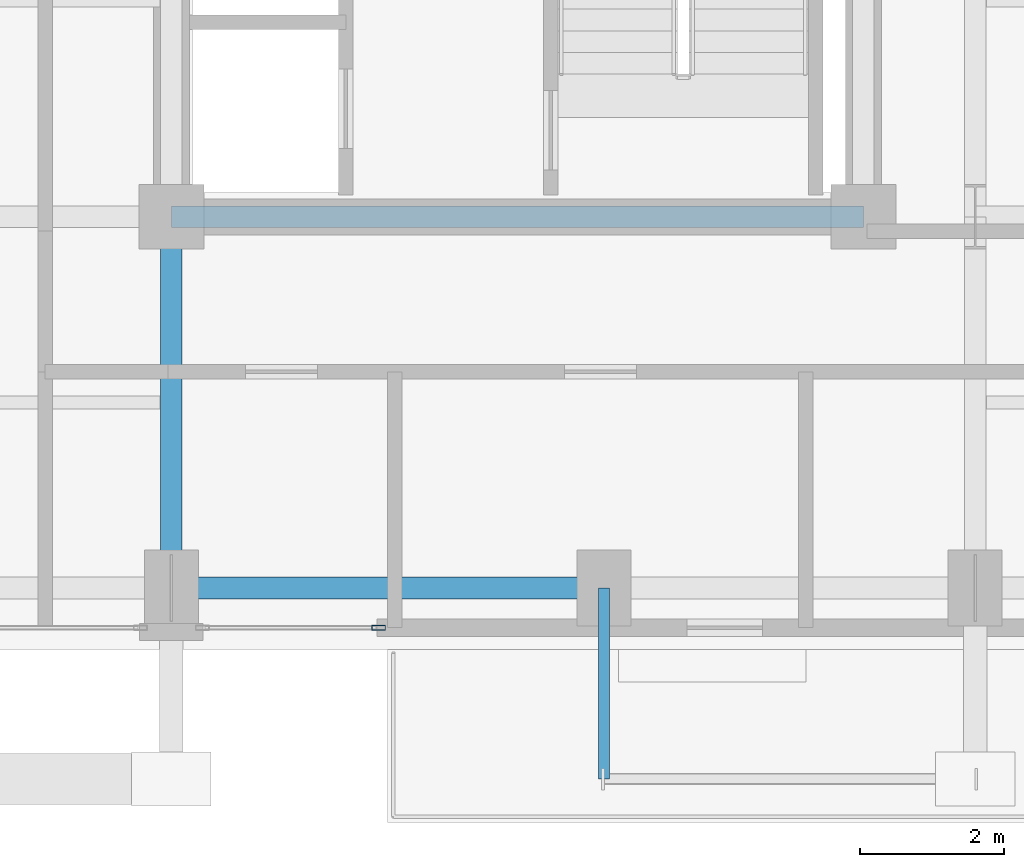
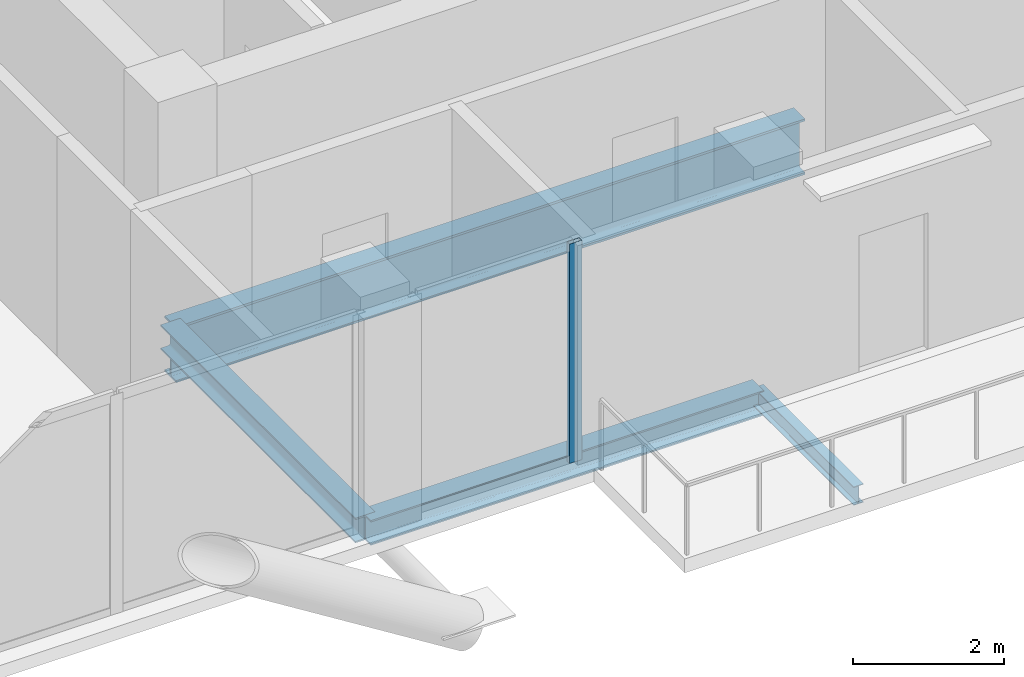
# One storey, part 5 of 28: 4 beams, 1 member, 1 element without a shape of its own.
"""IFC4 building model written with IfcOpenShell, lengths in metres."""

import ifcopenshell
import ifcopenshell.guid

model = None  # the IFC model being written
_history = None  # IfcOwnerHistory: only IFC2X3 demands one
_inside = {}  # id of a spatial element -> (the spatial element, [elements in it])
_under = {}  # id of a project, library or spatial element -> (it, [spatial elements below it])
_declared = {}  # id of a project -> (the project, [libraries it declares])
_typed = {}  # id of a type object -> (the type object, [elements of that type])
_made_of = {}  # id of a material, layer set ... -> (it, [elements and type objects made of it])


def new_model(schema):
    """Start an empty IFC model of exactly this schema.

    Asked for "IFC4X3", IfcOpenShell would pick the latest addendum, in which some entities
    have other attributes; the version numbers below select the first issue.
    IFC2X3 requires an IfcOwnerHistory on every rooted entity: one is made here for all.
    """
    global model, _history
    if schema == "IFC4X3":
        model = ifcopenshell.file(schema_version=(4, 3, 0, 0))
    else:
        model = ifcopenshell.file(schema=schema)
    _inside.clear()
    _under.clear()
    _declared.clear()
    _typed.clear()
    _made_of.clear()
    _history = None
    if model.schema == "IFC2X3":
        org = make("IfcOrganization", Name="unknown")
        user = make(
            "IfcPersonAndOrganization",
            ThePerson=make("IfcPerson", FamilyName="unknown"),
            TheOrganization=org,
        )
        app = make(
            "IfcApplication",
            ApplicationDeveloper=org,
            Version="unknown",
            ApplicationFullName="unknown",
            ApplicationIdentifier="unknown",
        )
        _history = make(
            "IfcOwnerHistory",
            OwningUser=user,
            OwningApplication=app,
            ChangeAction="ADDED",
            CreationDate=0,
        )
    return model


def make(cls, **values):
    """One entity of the class cls with the attributes given. An attribute that is None is left unset."""
    return model.create_entity(
        cls, **{name: value for name, value in values.items() if value is not None}
    )


def rooted(cls, **values):
    """An entity with a GlobalId (a new one), such as an element, a storey or a relation."""
    return make(cls, GlobalId=ifcopenshell.guid.new(), OwnerHistory=_history, **values)


def si_unit(unit_type, name, prefix=None):
    """IfcSIUnit, for example si_unit("LENGTHUNIT", "METRE", prefix="MILLI")."""
    return make("IfcSIUnit", UnitType=unit_type, Prefix=prefix, Name=name)


def assignment(units):
    """IfcUnitAssignment: the units of a project."""
    return None if units is None else make("IfcUnitAssignment", Units=units)


def point(xyz):
    """IfcCartesianPoint."""
    return None if xyz is None else make("IfcCartesianPoint", Coordinates=xyz)


def direction(xyz):
    """IfcDirection."""
    return None if xyz is None else make("IfcDirection", DirectionRatios=xyz)


def frame(location, z_axis=None, x_axis=None):
    """IfcAxis2Placement3D, a coordinate frame: its origin and axes. An axis left out is left unset."""
    return make(
        "IfcAxis2Placement3D",
        Location=point(location),
        Axis=direction(z_axis),
        RefDirection=direction(x_axis),
    )


def frame_2d(location, x_axis=None):
    """IfcAxis2Placement2D, a coordinate frame in the plane: its origin and x axis."""
    return make(
        "IfcAxis2Placement2D", Location=point(location), RefDirection=direction(x_axis)
    )


def origin():
    """The frame at (0, 0, 0) with its axes left unset."""
    return frame((0.0, 0.0, 0.0))


def origin_2d():
    """The frame at (0, 0) in the plane with its x axis left unset."""
    return frame_2d((0.0, 0.0))


def place(relative_to, where):
    """IfcLocalPlacement: puts the frame where relative to a parent placement (None: the world)."""
    return make(
        "IfcLocalPlacement", PlacementRelTo=relative_to, RelativePlacement=where
    )


def context(
    kind, dimensions, precision=None, world=None, true_north=None, identifier=None
):
    """IfcGeometricRepresentationContext, for example the 3D "Model" context."""
    return make(
        "IfcGeometricRepresentationContext",
        ContextIdentifier=identifier,
        ContextType=kind,
        CoordinateSpaceDimension=dimensions,
        Precision=precision,
        WorldCoordinateSystem=world,
        TrueNorth=true_north,
    )


def subcontext(parent, identifier, kind, view, scale=None):
    """IfcGeometricRepresentationSubContext, for example "Body" below "Model"."""
    return make(
        "IfcGeometricRepresentationSubContext",
        ContextIdentifier=identifier,
        ContextType=kind,
        ParentContext=parent,
        TargetScale=scale,
        TargetView=view,
    )


def project(units=None, contexts=None):
    """IfcProject with its units and contexts."""
    return rooted(
        "IfcProject",
        Name="project",
        RepresentationContexts=contexts,
        UnitsInContext=assignment(units),
    )


def spatial(cls, under=None, at=None, **own):
    """A site, building, storey or space (cls), placed at a placement, below another one or the project."""
    s = rooted(cls, ObjectPlacement=at, **own)
    if under is not None:
        _under.setdefault(under.id(), (under, []))[1].append(s)
    return s


def profile(cls, at=None, kind="AREA", **sizes):
    """A parametric profile (cls). Its sizes go by their IFC names, for example OverallWidth=200.0."""
    return make(cls, ProfileType=kind, Position=at, **sizes)


def hollow_rectangle(**sizes):
    """IfcRectangleHollowProfileDef."""
    return profile("IfcRectangleHollowProfileDef", **sizes)


def i_section(**sizes):
    """IfcIShapeProfileDef."""
    return profile("IfcIShapeProfileDef", **sizes)


def extrude(swept, where, along, depth):
    """IfcExtrudedAreaSolid: the profile swept, set in the frame where, extruded along a direction by depth."""
    return make(
        "IfcExtrudedAreaSolid",
        SweptArea=swept,
        Position=where,
        ExtrudedDirection=direction(along),
        Depth=depth,
    )


def shape(context_of_items, identifier, shape_type, items):
    """IfcShapeRepresentation: the items that make up one representation, for example the "Body"."""
    return make(
        "IfcShapeRepresentation",
        ContextOfItems=context_of_items,
        RepresentationIdentifier=identifier,
        RepresentationType=shape_type,
        Items=items,
    )


def material(Name=None, Category=None):
    """IfcMaterial."""
    return make("IfcMaterial", Name=Name, Category=Category)


def layer(
    of_material, thickness, ventilated=None, Name=None, Category=None, Priority=None
):
    """IfcMaterialLayer: one layer of a wall or slab, of a material (None: an air gap)."""
    return make(
        "IfcMaterialLayer",
        Material=of_material,
        LayerThickness=thickness,
        IsVentilated=ventilated,
        Name=Name,
        Category=Category,
        Priority=Priority,
    )


def layer_set(layers, Name=None):
    """IfcMaterialLayerSet."""
    return make("IfcMaterialLayerSet", MaterialLayers=layers, LayerSetName=Name)


def material_profile(
    of_material, cross_section, Name=None, Category=None, Priority=None
):
    """IfcMaterialProfile: a cross section and its material."""
    return make(
        "IfcMaterialProfile",
        Name=Name,
        Material=of_material,
        Profile=cross_section,
        Priority=Priority,
        Category=Category,
    )


def profile_set(profiles, Name=None, composite=None):
    """IfcMaterialProfileSet."""
    return make(
        "IfcMaterialProfileSet",
        Name=Name,
        MaterialProfiles=profiles,
        CompositeProfile=composite,
    )


def made_of(thing, what):
    """Note that an element or type object is made of a material, layer set ...; save() writes the relation."""
    if what is not None:
        _made_of.setdefault(what.id(), (what, []))[1].append(thing)
    return thing


def type_object(cls, material=None, **own):
    """A type object (cls), such as IfcWallType, which elements share."""
    return made_of(rooted(cls, **own), material)


def element(
    cls,
    number,
    at=None,
    inside=None,
    cuts=None,
    type_object=None,
    material=None,
    context=None,
    identifier="Body",
    shape_type=None,
    held_by="IfcProductDefinitionShape",
    body=None,
    shapes=None,
    **own,
):
    """One element of the class cls, such as IfcWall. Its Tag is "e" and its number.

    at: its placement. inside: the storey or other place that contains it. cuts: it is an
    opening in that element (IfcRelVoidsElement). A single representation is given by context,
    identifier, shape_type and body (its items); several are given by shapes. held_by: the class
    of the entity that holds the representations. save() writes the other relations.
    """
    e = rooted(cls, Tag="e%d" % number, ObjectPlacement=at, **own)
    if body is not None:
        shapes = [shape(context, identifier, shape_type, body)]
    if shapes is not None:
        e.Representation = make(held_by, Representations=shapes)
    if inside is not None:
        _inside.setdefault(inside.id(), (inside, []))[1].append(e)
    if cuts is not None:
        rooted(
            "IfcRelVoidsElement", RelatingBuildingElement=cuts, RelatedOpeningElement=e
        )
    if type_object is not None:
        _typed.setdefault(type_object.id(), (type_object, []))[1].append(e)
    return made_of(e, material)


def aggregate(whole, parts):
    """IfcRelAggregates: a whole, such as a stair, and the parts it consists of."""
    return rooted("IfcRelAggregates", RelatingObject=whole, RelatedObjects=parts)


def save(model, path):
    """Write the relations noted so far, then the file.

    IfcRelAggregates (storeys below a building ...), IfcRelContainedInSpatialStructure (elements
    in a storey), IfcRelDefinesByType, IfcRelAssociatesMaterial and IfcRelDeclares: one each for
    every whole, place, type object, material and project.
    """
    for whole, parts in _under.values():
        aggregate(whole, parts)
    for where, things in _inside.values():
        rooted(
            "IfcRelContainedInSpatialStructure",
            RelatedElements=things,
            RelatingStructure=where,
        )
    for kind, things in _typed.values():
        rooted("IfcRelDefinesByType", RelatedObjects=things, RelatingType=kind)
    for what, things in _made_of.values():
        rooted("IfcRelAssociatesMaterial", RelatedObjects=things, RelatingMaterial=what)
    for by, libraries in _declared.values():
        rooted("IfcRelDeclares", RelatingContext=by, RelatedDefinitions=libraries)
    model.write(path)


model = new_model("IFC4")

# Units and contexts
model_context = context("Model", 3, precision=1e-05, world=origin(), true_north=direction((0.0, 1.0)))
body_context = subcontext(model_context, "Body", "Model", "MODEL_VIEW")
ifc_project = project(units=[si_unit("LENGTHUNIT", "METRE"), si_unit("AREAUNIT", "SQUARE_METRE"), si_unit("VOLUMEUNIT", "CUBIC_METRE"), si_unit("PLANEANGLEUNIT", "RADIAN"), si_unit("MASSUNIT", "GRAM", prefix="KILO"), si_unit("THERMODYNAMICTEMPERATUREUNIT", "KELVIN"), si_unit("POWERUNIT", "WATT")], contexts=[model_context])

# Site, building, storey
site_placement = place(None, origin())
site = spatial("IfcSite", under=ifc_project, at=site_placement, CompositionType="ELEMENT")
building_placement = place(site_placement, origin())
building = spatial("IfcBuilding", under=site, at=building_placement, Name="Svarakhadi Broadcast Tower", CompositionType="ELEMENT")
storey_placement = place(building_placement, frame((0.0, 0.0, 169.199951171875)))
storey = spatial("IfcBuildingStorey", under=building, at=storey_placement, Name="L41", CompositionType="ELEMENT", Elevation=169.199951171875)

# Curtain wall, member
ifc_material_1 = material(Name="Anodised Bronze Aluminium AA 6063-T6", Category="aluminium")
ifc_layer = layer(ifc_material_1, 0.18994140625)
ifc_layer_set = layer_set([ifc_layer], Name="Anodised Bronze Aluminium AA 6063-T6")
curtain_wall_type = type_object("IfcCurtainWallType", Name="CW_Sys_04", PredefinedType="NOTDEFINED", material=ifc_layer_set)
curtain_wall_placement = place(storey_placement, origin())
curtain_wall = element("IfcCurtainWall", 1, at=curtain_wall_placement, inside=storey, type_object=curtain_wall_type, Name="L41 South Curtain Wall 15 Bay 1", PredefinedType="NOTDEFINED")
ifc_material_profile_1 = material_profile(ifc_material_1, hollow_rectangle(XDim=0.070068359375, YDim=0.18994140625, WallThickness=0.005615234375, at=origin_2d()), Name="ALU MULLION 190x70x6")
ifc_profile_set_1 = profile_set([ifc_material_profile_1], Name="Anodised Bronze Aluminium AA 6063-T6")
member_type = type_object("IfcMemberType", Name="CW_Sys_04_Mul", PredefinedType="MULLION", material=ifc_profile_set_1)
member_placement = place(storey_placement, frame((26.875, 0.300048828125, 0.0), z_axis=(0.0, 0.0, 1.0), x_axis=(0.0, -1.0, 0.0)))
member = element("IfcMember", 2, at=member_placement, type_object=member_type, Name="CW-04 mullion 1", PredefinedType="MULLION", context=body_context, shape_type="SweptSolid", body=[
    extrude(hollow_rectangle(XDim=0.070068359375, YDim=0.18994140625, WallThickness=0.005615234375, at=origin_2d()), origin(), (0.0, 0.0, 1.0), 3.5400390625),
])
aggregate(curtain_wall, [member])

# Beams
ifc_material_2 = material(Name="Steel S355J2 (IS 2062 E350C)", Category="steel")
ifc_material_profile_2 = material_profile(ifc_material_2, i_section(OverallWidth=0.300048828125, OverallDepth=0.39990234375, WebThickness=0.013427734375, FlangeThickness=0.02392578125, FilletRadius=0.027099609375, at=origin_2d()), Name="WPB 400x300x155")
ifc_profile_set_2 = profile_set([ifc_material_profile_2], Name="Steel S355J2 (IS 2062 E350C)")
beam_type_1 = type_object("IfcBeamType", Name="Girder_WPB400", PredefinedType="USERDEFINED", material=ifc_profile_set_2)
beam_1_placement = place(storey_placement, frame((24.0, 0.85009765625, -0.409912109375), z_axis=(1.0, 0.0, 0.0), x_axis=(0.0, 1.0, 0.0)))
element("IfcBeam", 3, at=beam_1_placement, inside=storey, type_object=beam_type_1, Name="L41 Primary E-W Girder G007", ObjectType="GIRDER", PredefinedType="USERDEFINED", context=body_context, shape_type="SweptSolid", body=[
    extrude(i_section(OverallWidth=0.300048828125, OverallDepth=0.39990234375, WebThickness=0.013427734375, FlangeThickness=0.02392578125, FilletRadius=0.027099609375, at=origin_2d()), origin(), (0.0, 0.0, 1.0), 6.0),
])
beam_2_placement = place(storey_placement, frame((24.0, 0.85009765625, -0.409912109375), z_axis=(0.0, 1.0, 0.0), x_axis=(-1.0, 0.0, 0.0)))
element("IfcBeam", 4, at=beam_2_placement, inside=storey, type_object=beam_type_1, Name="L41 Primary N-S Girder G054", ObjectType="GIRDER", PredefinedType="USERDEFINED", context=body_context, shape_type="SweptSolid", body=[
    extrude(i_section(OverallWidth=0.300048828125, OverallDepth=0.39990234375, WebThickness=0.013427734375, FlangeThickness=0.02392578125, FilletRadius=0.027099609375, at=origin_2d()), origin(), (0.0, 0.0, 1.0), 5.14990234375),
])
ifc_material_3 = material(Name="Steel S460ML (IS 2062 E450BR)", Category="steel")
ifc_material_profile_3 = material_profile(ifc_material_3, i_section(OverallWidth=0.300048828125, OverallDepth=0.89990234375, WebThickness=0.0185546875, FlangeThickness=0.034912109375, FilletRadius=0.030029296875, at=origin_2d()), Name="WPB 900x300x291")
ifc_profile_set_3 = profile_set([ifc_material_profile_3], Name="Steel S460ML (IS 2062 E450BR)")
beam_type_2 = type_object("IfcBeamType", Name="Girder_WPB900", PredefinedType="USERDEFINED", material=ifc_profile_set_3)
beam_3_placement = place(storey_placement, frame((24.0, 6.0, -0.659912109375), z_axis=(1.0, 0.0, 0.0), x_axis=(0.0, 1.0, 0.0)))
element("IfcBeam", 5, at=beam_3_placement, inside=storey, type_object=beam_type_2, Name="L41 Primary E-W Girder G014", ObjectType="GIRDER", PredefinedType="USERDEFINED", context=body_context, shape_type="SweptSolid", body=[
    extrude(i_section(OverallWidth=0.300048828125, OverallDepth=0.89990234375, WebThickness=0.0185546875, FlangeThickness=0.034912109375, FilletRadius=0.030029296875, at=origin_2d()), origin(), (0.0, 0.0, 1.0), 9.60009765625),
])
ifc_material_profile_4 = material_profile(ifc_material_2, i_section(OverallWidth=0.14990234375, OverallDepth=0.300048828125, WebThickness=0.007080078125, FlangeThickness=0.0107421875, FilletRadius=0.014892578125, at=origin_2d()), Name="NPB 300x150x37")
ifc_profile_set_4 = profile_set([ifc_material_profile_4], Name="Steel S355J2 (IS 2062 E350C)")
beam_type_3 = type_object("IfcBeamType", Name="Spandrel_NPB300", PredefinedType="SPANDREL", material=ifc_profile_set_4)
beam_4_placement = place(storey_placement, frame((30.0, 0.85009765625, -0.375), z_axis=(0.0, -1.0, 0.0), x_axis=(1.0, 0.0, 0.0)))
element("IfcBeam", 6, at=beam_4_placement, inside=storey, type_object=beam_type_3, Name="L41 Balcony Cantilever Bracket 1A", PredefinedType="SPANDREL", context=body_context, shape_type="SweptSolid", body=[
    extrude(i_section(OverallWidth=0.14990234375, OverallDepth=0.300048828125, WebThickness=0.007080078125, FlangeThickness=0.0107421875, FilletRadius=0.014892578125, at=origin_2d()), origin(), (0.0, 0.0, 1.0), 2.650146484375),
])

save(model, "model.ifc")
